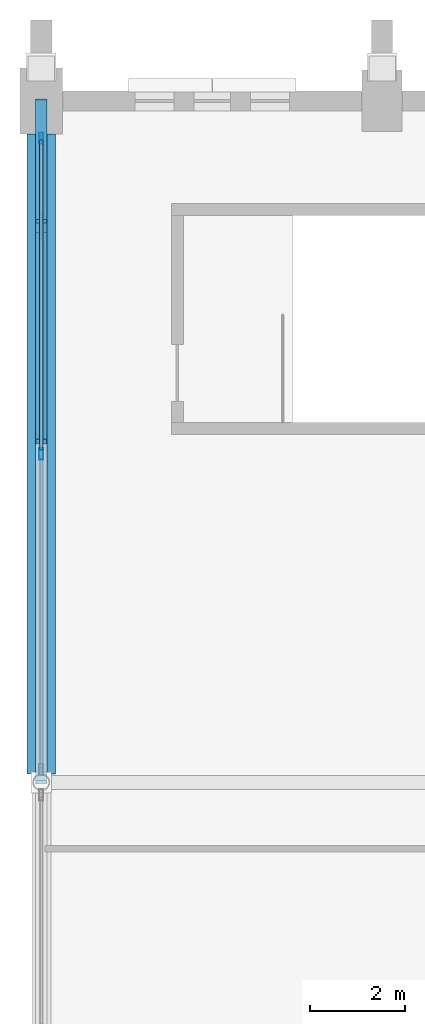
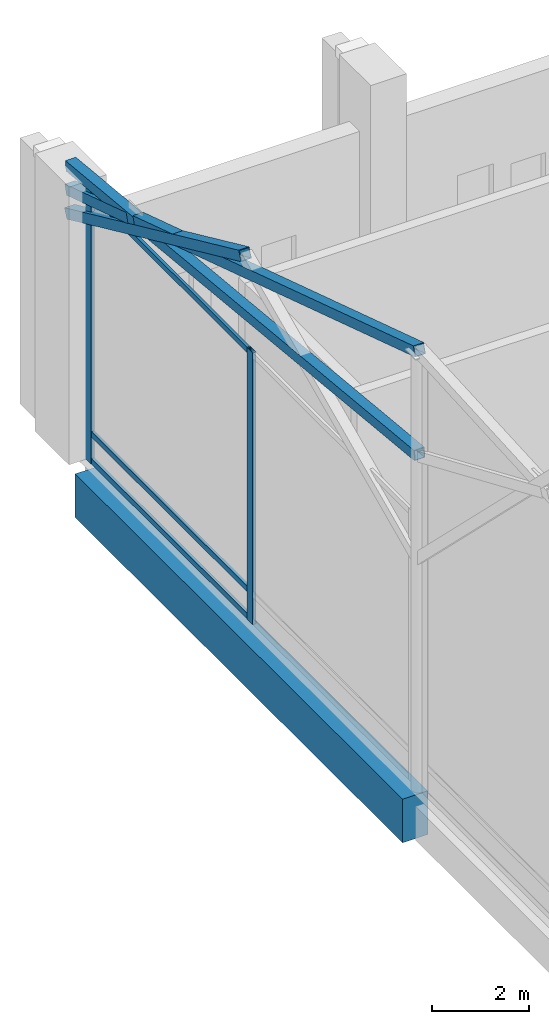
# One storey, part 118 of 220: 9 members, 1 beam, 1 element without a shape of its own.
"""IFC4 building model written with IfcOpenShell, lengths in metres."""

from ifc_helpers import new_model, si_unit, direction, frame, origin, origin_2d, place, context, subcontext, project, spatial, rectangle, hollow_rectangle, extrude, material, material_profile, profile_set, type_object, element, aggregate, save


model = new_model("IFC4")

# Units and contexts
model_context = context("Model", 3, precision=1e-05, world=origin(), true_north=direction((0.0, 1.0)))
body_context = subcontext(model_context, "Body", "Model", "MODEL_VIEW")
ifc_project = project(units=[si_unit("LENGTHUNIT", "METRE"), si_unit("AREAUNIT", "SQUARE_METRE"), si_unit("VOLUMEUNIT", "CUBIC_METRE"), si_unit("PLANEANGLEUNIT", "RADIAN"), si_unit("MASSUNIT", "GRAM", prefix="KILO")], contexts=[model_context])

# Site, building, storey
site_placement = place(None, origin())
site = spatial("IfcSite", under=ifc_project, at=site_placement, CompositionType="ELEMENT")
building_placement = place(site_placement, origin())
building = spatial("IfcBuilding", under=site, at=building_placement, Name="Cendralis Lancet Convention Centre", CompositionType="ELEMENT")
storey_placement = place(building_placement, frame((0.0, 0.0, 5.39990234375)))
storey = spatial("IfcBuildingStorey", under=building, at=storey_placement, Name="L01", CompositionType="ELEMENT", Elevation=5.39990234375)

# Curtain wall, members
ifc_material_1 = material(Name="Anodised bronze architectural aluminium", Category="aluminium")
curtain_wall_type = type_object("IfcCurtainWallType", Name="ARC-CW-GB02", PredefinedType="USERDEFINED", material=ifc_material_1)
curtain_wall_placement = place(storey_placement, origin())
curtain_wall = element("IfcCurtainWall", 1, at=curtain_wall_placement, inside=storey, type_object=curtain_wall_type, Name="L01 Curtain Wall CW-GB2 #104", ObjectType="CURTAIN WALL", PredefinedType="USERDEFINED")
ifc_material_profile_1 = material_profile(ifc_material_1, hollow_rectangle(XDim=0.080078125, YDim=0.239990234375, WallThickness=0.0048828125, at=origin_2d()), Name="AL-MULL 80x240x5.0")
ifc_profile_set_1 = profile_set([ifc_material_profile_1], Name="Anodised bronze architectural aluminium")
member_type_1 = type_object("IfcMemberType", Name="ARC-CW-ML03", PredefinedType="MULLION", material=ifc_profile_set_1)
member_1_placement = place(storey_placement, frame((0.0, 129.3388671875, 0.0), z_axis=(0.0, 0.0, 1.0), x_axis=(1.0, 0.0, 0.0)))
member_1 = element("IfcMember", 2, at=member_1_placement, type_object=member_type_1, Name="Mullion CW2-CW-GB2-L01-104-M1", PredefinedType="MULLION", context=body_context, shape_type="SweptSolid", body=[
    extrude(hollow_rectangle(XDim=0.080078125, YDim=0.239990234375, WallThickness=0.0048828125, at=origin_2d()), origin(), (0.0, 0.0, 1.0), 6.85009765625),
])
member_2_placement = place(storey_placement, frame((0.0, 136.010009765625, 0.0), z_axis=(0.0, 0.0, 1.0), x_axis=(1.0, 0.0, 0.0)))
member_2 = element("IfcMember", 3, at=member_2_placement, type_object=member_type_1, Name="Mullion CW2-CW-GB2-L01-104-M2", PredefinedType="MULLION", context=body_context, shape_type="SweptSolid", body=[
    extrude(hollow_rectangle(XDim=0.080078125, YDim=0.239990234375, WallThickness=0.0048828125, at=origin_2d()), origin(), (0.0, 0.0, 1.0), 6.85009765625),
])
ifc_material_profile_2 = material_profile(ifc_material_1, hollow_rectangle(XDim=0.070068359375, YDim=0.139892578125, WallThickness=0.00390625, at=origin_2d()), Name="AL-TRAN 70x140x4.0")
ifc_profile_set_2 = profile_set([ifc_material_profile_2], Name="Anodised bronze architectural aluminium")
member_type_2 = type_object("IfcMemberType", Name="ARC-CW-TR02", PredefinedType="USERDEFINED", material=ifc_profile_set_2)
member_3_placement = place(storey_placement, frame((0.0, 129.4189453125, 0.070068359375), z_axis=(0.0, 1.0, 0.0), x_axis=(-1.0, 0.0, 0.0)))
member_3 = element("IfcMember", 4, at=member_3_placement, type_object=member_type_2, Name="Transom CW2-CW-GB2-L01-104-T1BOT", ObjectType="TRANSOM", PredefinedType="USERDEFINED", context=body_context, shape_type="SweptSolid", body=[
    extrude(hollow_rectangle(XDim=0.070068359375, YDim=0.139892578125, WallThickness=0.00390625, at=origin_2d()), origin(), (0.0, 0.0, 1.0), 6.551025390625),
])
member_4_placement = place(storey_placement, frame((0.0, 129.4189453125, 0.75), z_axis=(0.0, 1.0, 0.0), x_axis=(-1.0, 0.0, 0.0)))
member_4 = element("IfcMember", 5, at=member_4_placement, type_object=member_type_2, Name="Transom CW2-CW-GB2-L01-104-T1MID", ObjectType="TRANSOM", PredefinedType="USERDEFINED", context=body_context, shape_type="SweptSolid", body=[
    extrude(hollow_rectangle(XDim=0.070068359375, YDim=0.139892578125, WallThickness=0.00390625, at=origin_2d()), origin(), (0.0, 0.0, 1.0), 6.551025390625),
])
member_5_placement = place(storey_placement, frame((0.0, 129.4189453125, 6.780029296875), z_axis=(0.0, 1.0, 0.0), x_axis=(-1.0, 0.0, 0.0)))
member_5 = element("IfcMember", 6, at=member_5_placement, type_object=member_type_2, Name="Transom CW2-CW-GB2-L01-104-T1TOP", ObjectType="TRANSOM", PredefinedType="USERDEFINED", context=body_context, shape_type="SweptSolid", body=[
    extrude(hollow_rectangle(XDim=0.070068359375, YDim=0.139892578125, WallThickness=0.00390625, at=origin_2d()), origin(), (0.0, 0.0, 1.0), 6.551025390625),
])
aggregate(curtain_wall, [member_1, member_2, member_3, member_4, member_5])

# Beam
ifc_material_2 = material(Name="Concrete G40 (C40/50)", Category="concrete")
ifc_material_profile_3 = material_profile(ifc_material_2, rectangle(XDim=0.60009765625, YDim=1.10009765625, at=origin_2d()), Name="RCB 600x1100")
ifc_profile_set_3 = profile_set([ifc_material_profile_3], Name="Concrete G40 (C40/50)")
beam_type = type_object("IfcBeamType", Name="STR-BM-BG02-EXT", PredefinedType="BEAM", material=ifc_profile_set_3)
beam_placement = place(storey_placement, frame((0.0, 122.577880859375, -0.829833984375), z_axis=(0.0, 1.0, 0.0), x_axis=(-1.0, 0.0, 0.0)))
element("IfcBeam", 7, at=beam_placement, inside=storey, type_object=beam_type, Name="L01 Beam BG02 #1256", PredefinedType="BEAM", context=body_context, shape_type="SweptSolid", body=[
    extrude(rectangle(XDim=0.60009765625, YDim=1.10009765625, at=origin_2d()), origin(), (0.0, 0.0, 1.0), 13.522216796875),
])

# Members
ifc_material_3 = material(Name="Steel S355", Category="steel")
ifc_material_profile_4 = material_profile(ifc_material_3, hollow_rectangle(XDim=0.25, YDim=0.25, WallThickness=0.012451171875, at=origin_2d()), Name="SHS 250x250x12.5")
ifc_profile_set_4 = profile_set([ifc_material_profile_4], Name="Steel S355")
member_type_3 = type_object("IfcMemberType", Name="STR-BR-GB01", PredefinedType="BRACE", material=ifc_profile_set_4)
member_6_placement = place(storey_placement, frame((0.0, 136.800048828125, 5.800048828125), z_axis=(0.0, -0.909353179185, 0.416024993848), x_axis=(1.0, 0.0, 0.0)))
element("IfcMember", 8, at=member_6_placement, inside=storey, type_object=member_type_3, Name="Exhibition Gable Gothic Ogival Tracery Rib GBR1 #027", PredefinedType="BRACE", context=body_context, shape_type="SweptSolid", body=[
    extrude(hollow_rectangle(XDim=0.25, YDim=0.25, WallThickness=0.012451171875, at=origin_2d()), origin(), (0.0, 0.0, 1.0), 7.917724609375),
])
member_7_placement = place(storey_placement, frame((0.0, 122.39990234375, 8.425537109375), z_axis=(0.0, 0.995135754966, -0.098513091454), x_axis=(-1.0, 0.0, 0.0)))
element("IfcMember", 9, at=member_7_placement, inside=storey, type_object=member_type_3, Name="Exhibition Gable Gothic Ogival Tracery Rib GBR1 #028", PredefinedType="BRACE", context=body_context, shape_type="SweptSolid", body=[
    extrude(hollow_rectangle(XDim=0.25, YDim=0.25, WallThickness=0.012451171875, at=origin_2d()), origin(), (0.0, 0.0, 1.0), 14.470458984375),
])
member_8_placement = place(storey_placement, frame((0.0, 136.800048828125, 6.400146484375), z_axis=(0.0, -0.951604282907, 0.307326030061), x_axis=(1.0, 0.0, 0.0)))
element("IfcMember", 10, at=member_8_placement, inside=storey, type_object=member_type_3, Name="Exhibition Gable Split X-Brace Rib GBR1 #029", PredefinedType="BRACE", context=body_context, shape_type="SweptSolid", body=[
    extrude(hollow_rectangle(XDim=0.25, YDim=0.25, WallThickness=0.012451171875, at=origin_2d()), origin(), (0.0, 0.0, 1.0), 2.669921875),
])
member_9_placement = place(storey_placement, frame((0.0, 133.9833984375, 7.309814453125), z_axis=(0.0, -0.951598160709, 0.307344986189), x_axis=(1.0, 0.0, 0.0)))
element("IfcMember", 11, at=member_9_placement, inside=storey, type_object=member_type_3, Name="Exhibition Gable Split X-Brace Rib GBR1 #030", PredefinedType="BRACE", context=body_context, shape_type="SweptSolid", body=[
    extrude(hollow_rectangle(XDim=0.25, YDim=0.25, WallThickness=0.012451171875, at=origin_2d()), origin(), (0.0, 0.0, 1.0), 12.172607421875),
])

save(model, "model.ifc")
